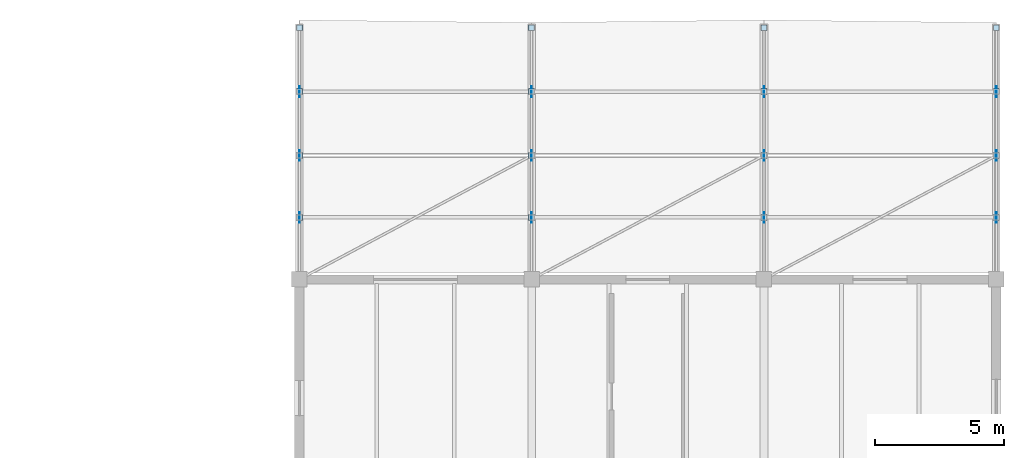
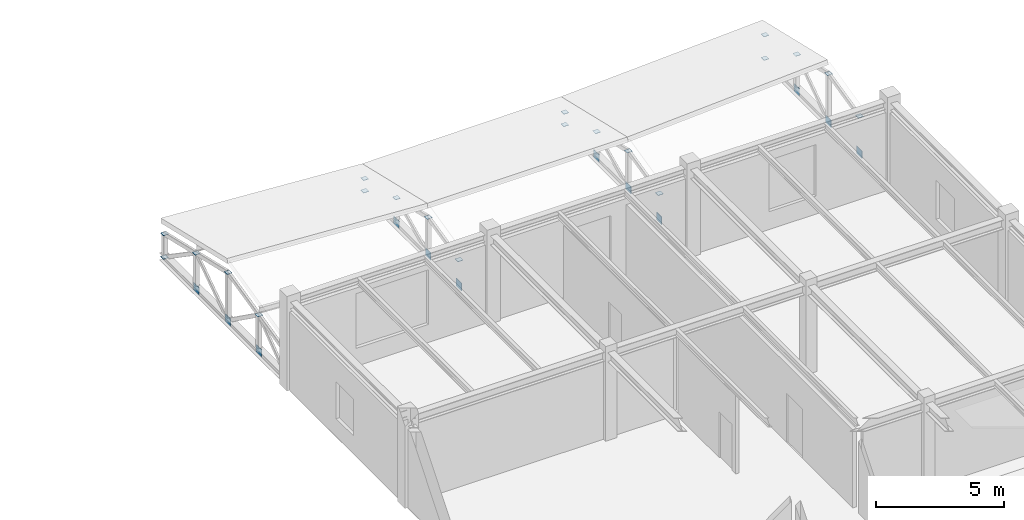
# One storey, part 40 of 55: 32 plates.
"""IFC4 building model written with IfcOpenShell, lengths in metres."""

import ifcopenshell
import ifcopenshell.guid

model = None  # the IFC model being written
_history = None  # IfcOwnerHistory: only IFC2X3 demands one
_inside = {}  # id of a spatial element -> (the spatial element, [elements in it])
_under = {}  # id of a project, library or spatial element -> (it, [spatial elements below it])
_declared = {}  # id of a project -> (the project, [libraries it declares])
_typed = {}  # id of a type object -> (the type object, [elements of that type])
_made_of = {}  # id of a material, layer set ... -> (it, [elements and type objects made of it])


def new_model(schema):
    """Start an empty IFC model of exactly this schema.

    Asked for "IFC4X3", IfcOpenShell would pick the latest addendum, in which some entities
    have other attributes; the version numbers below select the first issue.
    IFC2X3 requires an IfcOwnerHistory on every rooted entity: one is made here for all.
    """
    global model, _history
    if schema == "IFC4X3":
        model = ifcopenshell.file(schema_version=(4, 3, 0, 0))
    else:
        model = ifcopenshell.file(schema=schema)
    _inside.clear()
    _under.clear()
    _declared.clear()
    _typed.clear()
    _made_of.clear()
    _history = None
    if model.schema == "IFC2X3":
        org = make("IfcOrganization", Name="unknown")
        user = make(
            "IfcPersonAndOrganization",
            ThePerson=make("IfcPerson", FamilyName="unknown"),
            TheOrganization=org,
        )
        app = make(
            "IfcApplication",
            ApplicationDeveloper=org,
            Version="unknown",
            ApplicationFullName="unknown",
            ApplicationIdentifier="unknown",
        )
        _history = make(
            "IfcOwnerHistory",
            OwningUser=user,
            OwningApplication=app,
            ChangeAction="ADDED",
            CreationDate=0,
        )
    return model


def make(cls, **values):
    """One entity of the class cls with the attributes given. An attribute that is None is left unset."""
    return model.create_entity(
        cls, **{name: value for name, value in values.items() if value is not None}
    )


def rooted(cls, **values):
    """An entity with a GlobalId (a new one), such as an element, a storey or a relation."""
    return make(cls, GlobalId=ifcopenshell.guid.new(), OwnerHistory=_history, **values)


def si_unit(unit_type, name, prefix=None):
    """IfcSIUnit, for example si_unit("LENGTHUNIT", "METRE", prefix="MILLI")."""
    return make("IfcSIUnit", UnitType=unit_type, Prefix=prefix, Name=name)


def assignment(units):
    """IfcUnitAssignment: the units of a project."""
    return None if units is None else make("IfcUnitAssignment", Units=units)


def point(xyz):
    """IfcCartesianPoint."""
    return None if xyz is None else make("IfcCartesianPoint", Coordinates=xyz)


def direction(xyz):
    """IfcDirection."""
    return None if xyz is None else make("IfcDirection", DirectionRatios=xyz)


def frame(location, z_axis=None, x_axis=None):
    """IfcAxis2Placement3D, a coordinate frame: its origin and axes. An axis left out is left unset."""
    return make(
        "IfcAxis2Placement3D",
        Location=point(location),
        Axis=direction(z_axis),
        RefDirection=direction(x_axis),
    )


def frame_2d(location, x_axis=None):
    """IfcAxis2Placement2D, a coordinate frame in the plane: its origin and x axis."""
    return make(
        "IfcAxis2Placement2D", Location=point(location), RefDirection=direction(x_axis)
    )


def origin():
    """The frame at (0, 0, 0) with its axes left unset."""
    return frame((0.0, 0.0, 0.0))


def origin_2d():
    """The frame at (0, 0) in the plane with its x axis left unset."""
    return frame_2d((0.0, 0.0))


def place(relative_to, where):
    """IfcLocalPlacement: puts the frame where relative to a parent placement (None: the world)."""
    return make(
        "IfcLocalPlacement", PlacementRelTo=relative_to, RelativePlacement=where
    )


def context(
    kind, dimensions, precision=None, world=None, true_north=None, identifier=None
):
    """IfcGeometricRepresentationContext, for example the 3D "Model" context."""
    return make(
        "IfcGeometricRepresentationContext",
        ContextIdentifier=identifier,
        ContextType=kind,
        CoordinateSpaceDimension=dimensions,
        Precision=precision,
        WorldCoordinateSystem=world,
        TrueNorth=true_north,
    )


def subcontext(parent, identifier, kind, view, scale=None):
    """IfcGeometricRepresentationSubContext, for example "Body" below "Model"."""
    return make(
        "IfcGeometricRepresentationSubContext",
        ContextIdentifier=identifier,
        ContextType=kind,
        ParentContext=parent,
        TargetScale=scale,
        TargetView=view,
    )


def project(units=None, contexts=None):
    """IfcProject with its units and contexts."""
    return rooted(
        "IfcProject",
        Name="project",
        RepresentationContexts=contexts,
        UnitsInContext=assignment(units),
    )


def spatial(cls, under=None, at=None, **own):
    """A site, building, storey or space (cls), placed at a placement, below another one or the project."""
    s = rooted(cls, ObjectPlacement=at, **own)
    if under is not None:
        _under.setdefault(under.id(), (under, []))[1].append(s)
    return s


def profile(cls, at=None, kind="AREA", **sizes):
    """A parametric profile (cls). Its sizes go by their IFC names, for example OverallWidth=200.0."""
    return make(cls, ProfileType=kind, Position=at, **sizes)


def rectangle(**sizes):
    """IfcRectangleProfileDef."""
    return profile("IfcRectangleProfileDef", **sizes)


def extrude(swept, where, along, depth):
    """IfcExtrudedAreaSolid: the profile swept, set in the frame where, extruded along a direction by depth."""
    return make(
        "IfcExtrudedAreaSolid",
        SweptArea=swept,
        Position=where,
        ExtrudedDirection=direction(along),
        Depth=depth,
    )


def shape(context_of_items, identifier, shape_type, items):
    """IfcShapeRepresentation: the items that make up one representation, for example the "Body"."""
    return make(
        "IfcShapeRepresentation",
        ContextOfItems=context_of_items,
        RepresentationIdentifier=identifier,
        RepresentationType=shape_type,
        Items=items,
    )


def material(Name=None, Category=None):
    """IfcMaterial."""
    return make("IfcMaterial", Name=Name, Category=Category)


def layer(
    of_material, thickness, ventilated=None, Name=None, Category=None, Priority=None
):
    """IfcMaterialLayer: one layer of a wall or slab, of a material (None: an air gap)."""
    return make(
        "IfcMaterialLayer",
        Material=of_material,
        LayerThickness=thickness,
        IsVentilated=ventilated,
        Name=Name,
        Category=Category,
        Priority=Priority,
    )


def layer_set(layers, Name=None):
    """IfcMaterialLayerSet."""
    return make("IfcMaterialLayerSet", MaterialLayers=layers, LayerSetName=Name)


def made_of(thing, what):
    """Note that an element or type object is made of a material, layer set ...; save() writes the relation."""
    if what is not None:
        _made_of.setdefault(what.id(), (what, []))[1].append(thing)
    return thing


def type_object(cls, material=None, **own):
    """A type object (cls), such as IfcWallType, which elements share."""
    return made_of(rooted(cls, **own), material)


def element(
    cls,
    number,
    at=None,
    inside=None,
    cuts=None,
    type_object=None,
    material=None,
    context=None,
    identifier="Body",
    shape_type=None,
    held_by="IfcProductDefinitionShape",
    body=None,
    shapes=None,
    **own,
):
    """One element of the class cls, such as IfcWall. Its Tag is "e" and its number.

    at: its placement. inside: the storey or other place that contains it. cuts: it is an
    opening in that element (IfcRelVoidsElement). A single representation is given by context,
    identifier, shape_type and body (its items); several are given by shapes. held_by: the class
    of the entity that holds the representations. save() writes the other relations.
    """
    e = rooted(cls, Tag="e%d" % number, ObjectPlacement=at, **own)
    if body is not None:
        shapes = [shape(context, identifier, shape_type, body)]
    if shapes is not None:
        e.Representation = make(held_by, Representations=shapes)
    if inside is not None:
        _inside.setdefault(inside.id(), (inside, []))[1].append(e)
    if cuts is not None:
        rooted(
            "IfcRelVoidsElement", RelatingBuildingElement=cuts, RelatedOpeningElement=e
        )
    if type_object is not None:
        _typed.setdefault(type_object.id(), (type_object, []))[1].append(e)
    return made_of(e, material)


def aggregate(whole, parts):
    """IfcRelAggregates: a whole, such as a stair, and the parts it consists of."""
    return rooted("IfcRelAggregates", RelatingObject=whole, RelatedObjects=parts)


def save(model, path):
    """Write the relations noted so far, then the file.

    IfcRelAggregates (storeys below a building ...), IfcRelContainedInSpatialStructure (elements
    in a storey), IfcRelDefinesByType, IfcRelAssociatesMaterial and IfcRelDeclares: one each for
    every whole, place, type object, material and project.
    """
    for whole, parts in _under.values():
        aggregate(whole, parts)
    for where, things in _inside.values():
        rooted(
            "IfcRelContainedInSpatialStructure",
            RelatedElements=things,
            RelatingStructure=where,
        )
    for kind, things in _typed.values():
        rooted("IfcRelDefinesByType", RelatedObjects=things, RelatingType=kind)
    for what, things in _made_of.values():
        rooted("IfcRelAssociatesMaterial", RelatedObjects=things, RelatingMaterial=what)
    for by, libraries in _declared.values():
        rooted("IfcRelDeclares", RelatingContext=by, RelatedDefinitions=libraries)
    model.write(path)


model = new_model("IFC4")

# Units and contexts
model_context = context("Model", 3, precision=1e-05, world=origin(), true_north=direction((0.0, 1.0)))
body_context = subcontext(model_context, "Body", "Model", "MODEL_VIEW")
ifc_project = project(units=[si_unit("LENGTHUNIT", "METRE"), si_unit("AREAUNIT", "SQUARE_METRE"), si_unit("VOLUMEUNIT", "CUBIC_METRE"), si_unit("PLANEANGLEUNIT", "RADIAN"), si_unit("MASSUNIT", "GRAM", prefix="KILO")], contexts=[model_context])

# Site, building, storey
site_placement = place(None, origin())
site = spatial("IfcSite", under=ifc_project, at=site_placement, CompositionType="ELEMENT")
building_placement = place(site_placement, origin())
building = spatial("IfcBuilding", under=site, at=building_placement, Name="Bozkorgan Art Gallery", CompositionType="ELEMENT")
storey_placement = place(building_placement, frame((0.0, 0.0, 15.0)))
storey = spatial("IfcBuildingStorey", under=building, at=storey_placement, Name="L03", CompositionType="ELEMENT", Elevation=15.0)

# Plates
ifc_material = material(Name="Steel S355J2", Category="steel")
ifc_layer_1 = layer(ifc_material, 0.01611328125, Name="Steel S355J2")
ifc_layer_set_1 = layer_set([ifc_layer_1], Name="Steel S355J2")
plate_type_1 = type_object("IfcPlateType", Name="PLATE-EC-05", PredefinedType="USERDEFINED", material=ifc_layer_set_1)
for number, where, z_axis, x_axis, name in (
    (1, (137.0, 105.199951171875, 1.88623046875), (0.0, 0.0, 1.0), (1.0, 0.0, 0.0), "Truss V5 post cap 1.1"),
    (2, (137.0, 107.60009765625, 2.44921875), (0.0, 0.0, 1.0), (1.0, 0.0, 0.0), "Truss V5 post cap 1.2"),
    (3, (137.0, 110.074951171875, 1.86865234375), (0.0, 0.0, 1.0), (1.0, 0.0, 0.0), "Truss V5 post cap 1.3"),
    (4, (137.0, 112.550048828125, 1.288330078125), (0.0, 0.0, 1.0), (1.0, 0.0, 0.0), "Truss V5 post cap 1.4"),
    (5, (137.0, 112.550048828125, 0.171875), (0.0, 0.0, 1.0), (1.0, 0.0, 0.0), "Truss V5 post base cap 1.4"),
    (6, (146.0, 105.199951171875, 1.35888671875), (0.0, 0.0, 1.0), (1.0, 0.0, 0.0), "Truss V5 post cap 2.1"),
    (7, (146.0, 107.60009765625, 1.921875), (0.0, 0.0, 1.0), (1.0, 0.0, 0.0), "Truss V5 post cap 2.2"),
    (8, (146.0, 110.074951171875, 1.34130859375), (0.0, 0.0, 1.0), (1.0, 0.0, 0.0), "Truss V5 post cap 2.3"),
    (9, (146.0, 112.550048828125, 0.7607421875), (0.0, 0.0, 1.0), (1.0, 0.0, 0.0), "Truss V5 post cap 2.4"),
    (10, (146.0, 112.550048828125, 0.171875), (0.0, 0.0, 1.0), (1.0, 0.0, 0.0), "Truss V5 post base cap 2.4"),
    (11, (155.0, 105.199951171875, 1.35888671875), (0.0, 0.0, 1.0), (1.0, 0.0, 0.0), "Truss V5 post cap 3.1"),
    (12, (155.0, 107.60009765625, 1.921875), (0.0, 0.0, 1.0), (1.0, 0.0, 0.0), "Truss V5 post cap 3.2"),
    (13, (155.0, 110.074951171875, 1.34130859375), (0.0, 0.0, 1.0), (1.0, 0.0, 0.0), "Truss V5 post cap 3.3"),
    (14, (155.0, 112.550048828125, 0.7607421875), (0.0, 0.0, 1.0), (1.0, 0.0, 0.0), "Truss V5 post cap 3.4"),
    (15, (155.0, 112.550048828125, 0.171875), (0.0, 0.0, 1.0), (1.0, 0.0, 0.0), "Truss V5 post base cap 3.4"),
    (16, (164.0, 105.199951171875, 1.88623046875), (0.0, 0.0, 1.0), (1.0, 0.0, 0.0), "Truss V5 post cap 4.1"),
    (17, (164.0, 107.60009765625, 2.44921875), (0.0, 0.0, 1.0), (1.0, 0.0, 0.0), "Truss V5 post cap 4.2"),
    (18, (164.0, 110.074951171875, 1.86865234375), (0.0, 0.0, 1.0), (1.0, 0.0, 0.0), "Truss V5 post cap 4.3"),
    (19, (164.0, 112.550048828125, 1.288330078125), (0.0, 0.0, 1.0), (1.0, 0.0, 0.0), "Truss V5 post cap 4.4"),
    (20, (164.0, 112.550048828125, 0.171875), (0.0, 0.0, 1.0), (1.0, 0.0, 0.0), "Truss V5 post base cap 4.4"),
):
    element("IfcPlate", number, at=place(storey_placement, frame(where, z_axis=z_axis, x_axis=x_axis)), inside=storey, type_object=plate_type_1, Name=name, ObjectType="END CAP PLATE", PredefinedType="USERDEFINED", context=body_context, shape_type="SweptSolid", body=[
        extrude(rectangle(XDim=0.22998046875, YDim=0.22998046875, at=origin_2d()), origin(), (0.0, 0.0, 1.0), 0.01611328125),
    ])
ifc_layer_2 = layer(ifc_material, 0.02392578125, Name="Steel S355J2")
ifc_layer_set_2 = layer_set([ifc_layer_2], Name="Steel S355J2")
plate_type_2 = type_object("IfcPlateType", Name="PLATE-GP-38", PredefinedType="USERDEFINED", material=ifc_layer_set_2)
for number, where, z_axis, x_axis, name in (
    (21, (137.0, 107.60009765625, 0.0), (0.0, 0.0, 1.0), (1.0, 0.0, 0.0), "Truss V5 span 1 node gusset TN-2"),
    (22, (146.0, 107.60009765625, 0.0), (0.0, 0.0, 1.0), (1.0, 0.0, 0.0), "Truss V5 span 2 node gusset TN-2"),
    (23, (155.0, 107.60009765625, 0.0), (0.0, 0.0, 1.0), (1.0, 0.0, 0.0), "Truss V5 span 3 node gusset TN-2"),
    (24, (164.0, 107.60009765625, 0.0), (0.0, 0.0, 1.0), (1.0, 0.0, 0.0), "Truss V5 span 4 node gusset TN-2"),
):
    element("IfcPlate", number, at=place(storey_placement, frame(where, z_axis=z_axis, x_axis=x_axis)), inside=storey, type_object=plate_type_2, Name=name, ObjectType="GUSSET PLATE", PredefinedType="USERDEFINED", context=body_context, shape_type="SweptSolid", body=[
        extrude(rectangle(XDim=0.02001953125, YDim=0.419921875, at=origin_2d()), origin(), (0.0, 0.0, 1.0), 0.360107421875),
    ])
ifc_layer_3 = layer(ifc_material, 0.02001953125, Name="Steel S355J2")
ifc_layer_set_3 = layer_set([ifc_layer_3], Name="Steel S355J2")
plate_type_3 = type_object("IfcPlateType", Name="PLATE-GP-55", PredefinedType="USERDEFINED", material=ifc_layer_set_3)
for number, where, z_axis, x_axis, name in (
    (25, (137.0, 105.199951171875, 0.0), (0.0, 0.0, 1.0), (1.0, 0.0, 0.0), "Truss V5 span 1 node gusset TN-1"),
    (26, (137.0, 110.074951171875, 0.0), (0.0, 0.0, 1.0), (1.0, 0.0, 0.0), "Truss V5 span 1 node gusset TN-3"),
    (27, (146.0, 105.199951171875, 0.0), (0.0, 0.0, 1.0), (1.0, 0.0, 0.0), "Truss V5 span 2 node gusset TN-1"),
    (28, (146.0, 110.074951171875, 0.0), (0.0, 0.0, 1.0), (1.0, 0.0, 0.0), "Truss V5 span 2 node gusset TN-3"),
    (29, (155.0, 105.199951171875, 0.0), (0.0, 0.0, 1.0), (1.0, 0.0, 0.0), "Truss V5 span 3 node gusset TN-1"),
    (30, (155.0, 110.074951171875, 0.0), (0.0, 0.0, 1.0), (1.0, 0.0, 0.0), "Truss V5 span 3 node gusset TN-3"),
    (31, (164.0, 105.199951171875, 0.0), (0.0, 0.0, 1.0), (1.0, 0.0, 0.0), "Truss V5 span 4 node gusset TN-1"),
    (32, (164.0, 110.074951171875, 0.0), (0.0, 0.0, 1.0), (1.0, 0.0, 0.0), "Truss V5 span 4 node gusset TN-3"),
):
    element("IfcPlate", number, at=place(storey_placement, frame(where, z_axis=z_axis, x_axis=x_axis)), inside=storey, type_object=plate_type_3, Name=name, ObjectType="GUSSET PLATE", PredefinedType="USERDEFINED", context=body_context, shape_type="SweptSolid", body=[
        extrude(rectangle(XDim=0.02001953125, YDim=0.419921875, at=origin_2d()), origin(), (0.0, 0.0, 1.0), 0.360107421875),
    ])

save(model, "model.ifc")
